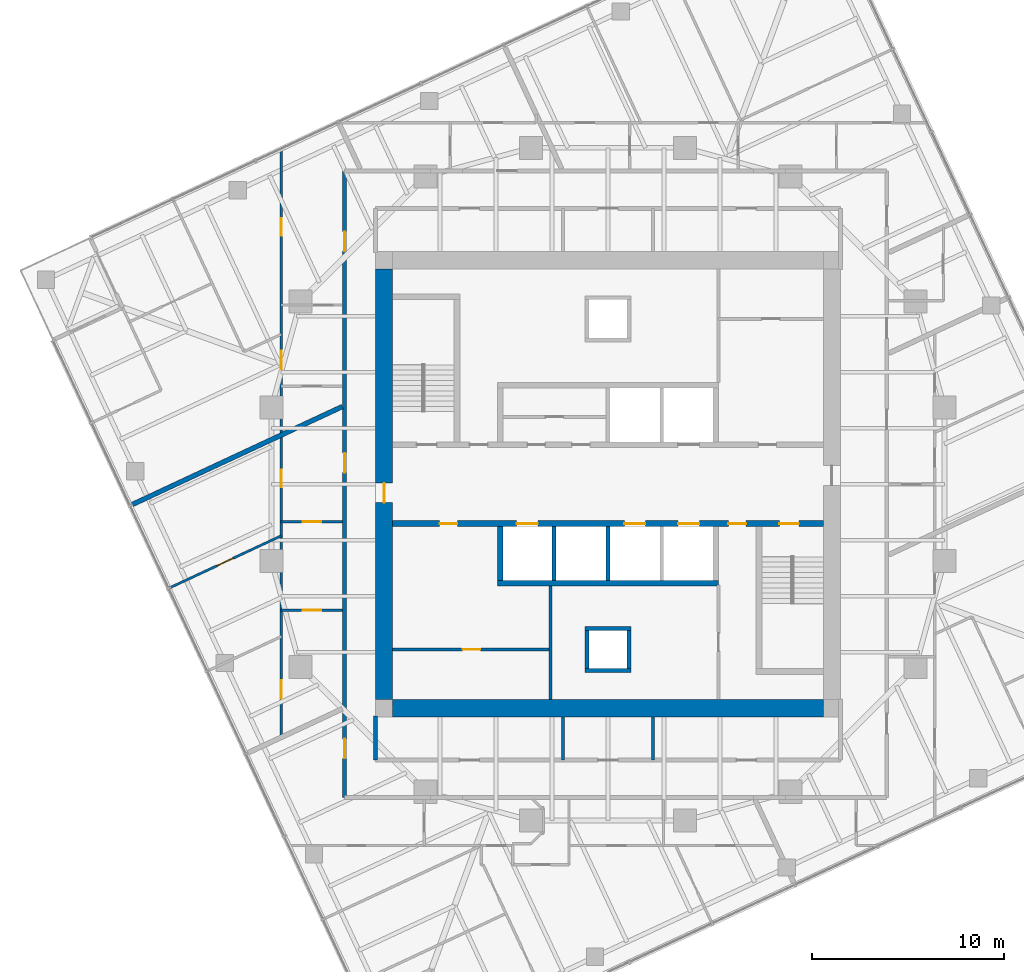
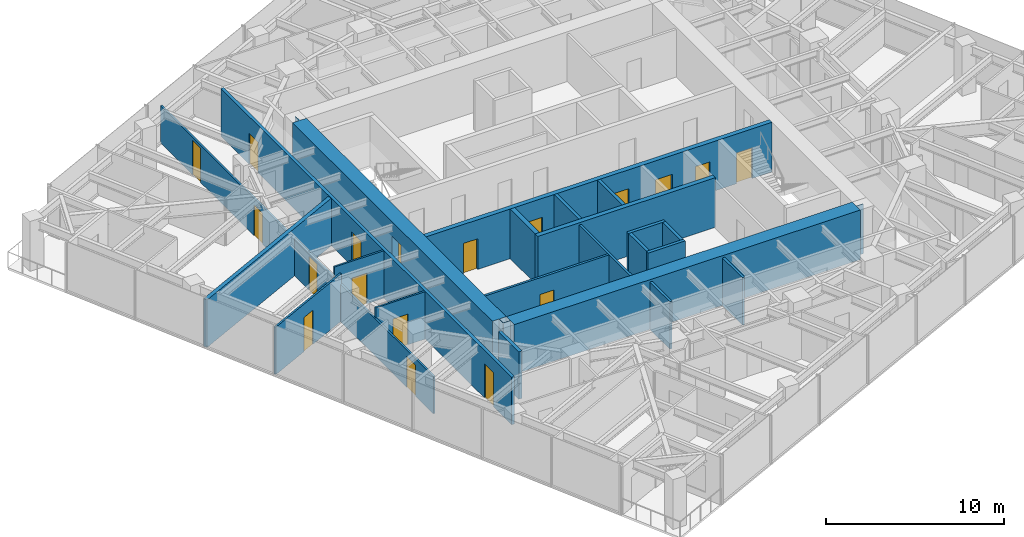
# One storey, part 8 of 13: 22 walls, 18 doors, 18 openings.
"""IFC4 building model written with IfcOpenShell, lengths in metres."""

from ifc_helpers import new_model, si_unit, direction, frame, frame_2d, origin, place, context, subcontext, project, spatial, polyline, rectangle, outline, extrude, material, layer, layer_set, type_object, element, fill, save


model = new_model("IFC4")

# Units and contexts
model_context = context("Model", 3, precision=1e-05, world=origin(), true_north=direction((0.0, 1.0)))
body_context = subcontext(model_context, "Body", "Model", "MODEL_VIEW")
ifc_project = project(units=[si_unit("LENGTHUNIT", "METRE"), si_unit("AREAUNIT", "SQUARE_METRE"), si_unit("VOLUMEUNIT", "CUBIC_METRE"), si_unit("PLANEANGLEUNIT", "RADIAN"), si_unit("MASSUNIT", "GRAM", prefix="KILO")], contexts=[model_context])

# Site, building, storey
site_placement = place(None, origin())
site = spatial("IfcSite", under=ifc_project, at=site_placement, CompositionType="ELEMENT")
building_placement = place(site_placement, origin())
building = spatial("IfcBuilding", under=site, at=building_placement, Name="Torsade Residences", CompositionType="ELEMENT")
storey_placement = place(building_placement, frame((0.0, 0.0, 182.800048828125)))
storey = spatial("IfcBuildingStorey", under=building, at=storey_placement, Name="L50", CompositionType="ELEMENT", Elevation=182.800048828125)

# Wall, openings, doors
ifc_material_1 = material(Name="Concrete 80 MPa", Category="concrete")
ifc_layer_1 = layer(ifc_material_1, 0.300048828125)
ifc_layer_set_1 = layer_set([ifc_layer_1], Name="Concrete 80 MPa")
wall_type_1 = type_object("IfcWallType", Name="CORE INTERNAL WALL 300", PredefinedType="SHEAR", material=ifc_layer_set_1)
wall_1_placement = place(storey_placement, frame((51.199951171875, 27.949951171875, 0.0), z_axis=(0.0, 0.0, 1.0), x_axis=(-1.0, 0.0, 0.0)))
wall_1 = element("IfcWall", 1, at=wall_1_placement, inside=storey, type_object=wall_type_1, Name="Core wall LS L50", PredefinedType="SHEAR", context=body_context, shape_type="SweptSolid", body=[
    extrude(rectangle(XDim=22.39990234375, YDim=0.300048828125, at=frame_2d((11.199951171875, 0.0))), origin(), (0.0, 0.0, 1.0), 3.39990234375),
])
opening_1_placement = place(wall_1_placement, frame((19.0400390625, 0.0, 0.0)))
opening_1 = element("IfcOpeningElement", 2, at=opening_1_placement, cuts=wall_1, Name="Opening D06", PredefinedType="OPENING", context=body_context, shape_type="SweptSolid", body=[
    extrude(rectangle(XDim=0.919921875, YDim=2.10009765625, at=frame_2d((0.4599609375, 1.050048828125))), frame((0.0, 0.159912109375, 0.0), z_axis=(0.0, -1.0, 0.0), x_axis=(1.0, 0.0, 0.0)), (0.0, 0.0, 1.0), 0.320068359375),
])
opening_2_placement = place(wall_1_placement, frame((1.264892578125, 0.0, 0.0)))
opening_2 = element("IfcOpeningElement", 3, at=opening_2_placement, cuts=wall_1, Name="Opening D03", PredefinedType="OPENING", context=body_context, shape_type="SweptSolid", body=[
    extrude(rectangle(XDim=1.02001953125, YDim=2.10009765625, at=frame_2d((0.510009765625, 1.050048828125))), frame((0.0, 0.159912109375, 0.0), z_axis=(0.0, -1.0, 0.0), x_axis=(1.0, 0.0, 0.0)), (0.0, 0.0, 1.0), 0.320068359375),
])
opening_3_placement = place(wall_1_placement, frame((4.014892578125, 0.0, 0.0)))
opening_3 = element("IfcOpeningElement", 4, at=opening_3_placement, cuts=wall_1, Name="Opening D06", PredefinedType="OPENING", context=body_context, shape_type="SweptSolid", body=[
    extrude(rectangle(XDim=0.919921875, YDim=2.10009765625, at=frame_2d((0.4599609375, 1.050048828125))), frame((0.0, 0.159912109375, 0.0), z_axis=(0.0, -1.0, 0.0), x_axis=(1.0, 0.0, 0.0)), (0.0, 0.0, 1.0), 0.320068359375),
])
opening_4_placement = place(wall_1_placement, frame((6.449951171875, 0.0, 0.0)))
opening_4 = element("IfcOpeningElement", 5, at=opening_4_placement, cuts=wall_1, Name="Opening LD", PredefinedType="OPENING", context=body_context, shape_type="SweptSolid", body=[
    extrude(rectangle(XDim=1.10009765625, YDim=2.10009765625, at=frame_2d((0.550048828125, 1.050048828125))), frame((0.0, 0.159912109375, 0.0), z_axis=(0.0, -1.0, 0.0), x_axis=(1.0, 0.0, 0.0)), (0.0, 0.0, 1.0), 0.320068359375),
])
opening_5_placement = place(wall_1_placement, frame((9.25, 0.0, 0.0)))
opening_5 = element("IfcOpeningElement", 6, at=opening_5_placement, cuts=wall_1, Name="Opening LD", PredefinedType="OPENING", context=body_context, shape_type="SweptSolid", body=[
    extrude(rectangle(XDim=1.10009765625, YDim=2.10009765625, at=frame_2d((0.550048828125, 1.050048828125))), frame((0.0, 0.159912109375, 0.0), z_axis=(0.0, -1.0, 0.0), x_axis=(1.0, 0.0, 0.0)), (0.0, 0.0, 1.0), 0.320068359375),
])
opening_6_placement = place(wall_1_placement, frame((14.85009765625, 0.0, 0.0)))
opening_6 = element("IfcOpeningElement", 7, at=opening_6_placement, cuts=wall_1, Name="Opening LD", PredefinedType="OPENING", context=body_context, shape_type="SweptSolid", body=[
    extrude(rectangle(XDim=1.10009765625, YDim=2.10009765625, at=frame_2d((0.550048828125, 1.050048828125))), frame((0.0, 0.159912109375, 0.0), z_axis=(0.0, -1.0, 0.0), x_axis=(1.0, 0.0, 0.0)), (0.0, 0.0, 1.0), 0.320068359375),
])
ifc_material_2 = material(Name="Steel-framed fire door", Category="steel")
door_type_1 = type_object("IfcDoorType", Name="FIRE DOOR 1020", OperationType="NOTDEFINED", PredefinedType="DOOR", material=ifc_material_2)
door_1_placement = place(opening_2_placement, origin())
door_1 = element("IfcDoor", 8, at=door_1_placement, inside=storey, type_object=door_type_1, Name="Exit door to fire-isolated stair ST2 L50", OperationType="SINGLE_SWING_RIGHT", OverallHeight=2.10009765625, OverallWidth=1.02001953125, PredefinedType="DOOR", context=body_context, shape_type="SweptSolid", body=[
    extrude(rectangle(XDim=1.02001953125, YDim=2.10009765625, at=frame_2d((0.510009765625, 1.050048828125))), frame((0.0, 0.02490234375, 0.0), z_axis=(0.0, -1.0, 0.0), x_axis=(1.0, 0.0, 0.0)), (0.0, 0.0, 1.0), 0.050048828125),
])
fill(opening_2, door_1)
ifc_material_3 = material(Name="Steel-framed fire door", Category="steel")
door_type_2 = type_object("IfcDoorType", Name="FIRE DOOR 920", OperationType="NOTDEFINED", PredefinedType="DOOR", material=ifc_material_3)
door_2_placement = place(opening_1_placement, origin())
door_2 = element("IfcDoor", 9, at=door_2_placement, inside=storey, type_object=door_type_2, Name="Door Lift lobby to Cleaner store", OperationType="SINGLE_SWING_LEFT", OverallHeight=2.10009765625, OverallWidth=0.919921875, PredefinedType="DOOR", context=body_context, shape_type="SweptSolid", body=[
    extrude(rectangle(XDim=0.919921875, YDim=2.10009765625, at=frame_2d((0.4599609375, 1.050048828125))), frame((0.0, 0.02490234375, 0.0), z_axis=(0.0, -1.0, 0.0), x_axis=(1.0, 0.0, 0.0)), (0.0, 0.0, 1.0), 0.050048828125),
])
fill(opening_1, door_2)
door_3_placement = place(opening_3_placement, origin())
door_3 = element("IfcDoor", 10, at=door_3_placement, inside=storey, type_object=door_type_2, Name="Door Lift lobby to Communications equipment store", OperationType="SINGLE_SWING_RIGHT", OverallHeight=2.10009765625, OverallWidth=0.919921875, PredefinedType="DOOR", context=body_context, shape_type="SweptSolid", body=[
    extrude(rectangle(XDim=0.919921875, YDim=2.10009765625, at=frame_2d((0.4599609375, 1.050048828125))), frame((0.0, 0.02490234375, 0.0), z_axis=(0.0, -1.0, 0.0), x_axis=(1.0, 0.0, 0.0)), (0.0, 0.0, 1.0), 0.050048828125),
])
fill(opening_3, door_3)
ifc_material_4 = material(Name="Stainless steel lift landing door", Category="steel")
door_type_3 = type_object("IfcDoorType", Name="LIFT LANDING DOOR 1100", OperationType="SLIDING_TO_LEFT", PredefinedType="DOOR", material=ifc_material_4)
door_4_placement = place(opening_4_placement, origin())
door_4 = element("IfcDoor", 11, at=door_4_placement, inside=storey, type_object=door_type_3, Name="Lift LB1 landing door L50", OperationType="SLIDING_TO_LEFT", OverallHeight=2.10009765625, OverallWidth=1.10009765625, PredefinedType="DOOR", context=body_context, shape_type="SweptSolid", body=[
    extrude(rectangle(XDim=1.10009765625, YDim=2.10009765625, at=frame_2d((0.550048828125, 1.050048828125))), frame((0.0, 0.02490234375, 0.0), z_axis=(0.0, -1.0, 0.0), x_axis=(1.0, 0.0, 0.0)), (0.0, 0.0, 1.0), 0.050048828125),
])
fill(opening_4, door_4)
door_5_placement = place(opening_5_placement, origin())
door_5 = element("IfcDoor", 12, at=door_5_placement, inside=storey, type_object=door_type_3, Name="Lift LB2 landing door L50", OperationType="SLIDING_TO_LEFT", OverallHeight=2.10009765625, OverallWidth=1.10009765625, PredefinedType="DOOR", context=body_context, shape_type="SweptSolid", body=[
    extrude(rectangle(XDim=1.10009765625, YDim=2.10009765625, at=frame_2d((0.550048828125, 1.050048828125))), frame((0.0, 0.02490234375, 0.0), z_axis=(0.0, -1.0, 0.0), x_axis=(1.0, 0.0, 0.0)), (0.0, 0.0, 1.0), 0.050048828125),
])
fill(opening_5, door_5)
door_6_placement = place(opening_6_placement, origin())
door_6 = element("IfcDoor", 13, at=door_6_placement, inside=storey, type_object=door_type_3, Name="Lift FL2 landing door L50", OperationType="SLIDING_TO_LEFT", OverallHeight=2.10009765625, OverallWidth=1.10009765625, PredefinedType="DOOR", context=body_context, shape_type="SweptSolid", body=[
    extrude(rectangle(XDim=1.10009765625, YDim=2.10009765625, at=frame_2d((0.550048828125, 1.050048828125))), frame((0.0, 0.02490234375, 0.0), z_axis=(0.0, -1.0, 0.0), x_axis=(1.0, 0.0, 0.0)), (0.0, 0.0, 1.0), 0.050048828125),
])
fill(opening_6, door_6)

# Walls
wall_2_placement = place(storey_placement, frame((45.75, 24.85009765625, 0.0), z_axis=(0.0, 0.0, 1.0), x_axis=(-1.0, 0.0, 0.0)))
element("IfcWall", 14, at=wall_2_placement, inside=storey, type_object=wall_type_1, Name="Core wall BS L50", PredefinedType="SHEAR", context=body_context, shape_type="SweptSolid", body=[
    extrude(rectangle(XDim=11.5, YDim=0.300048828125, at=frame_2d((5.75, 0.0))), origin(), (0.0, 0.0, 1.0), 3.39990234375),
])
wall_3_placement = place(storey_placement, frame((34.39990234375, 27.800048828125, 0.0), z_axis=(0.0, 0.0, 1.0), x_axis=(0.0, -1.0, 0.0)))
element("IfcWall", 15, at=wall_3_placement, inside=storey, type_object=wall_type_1, Name="Core wall DS4 L50", PredefinedType="SHEAR", context=body_context, shape_type="SweptSolid", body=[
    extrude(rectangle(XDim=2.800048828125, YDim=0.300048828125, at=frame_2d((1.39990234375, 0.0))), origin(), (0.0, 0.0, 1.0), 3.39990234375),
])
ifc_material_5 = material(Name="Concrete 80 MPa", Category="concrete")
ifc_layer_2 = layer(ifc_material_5, 0.89990234375)
ifc_layer_set_2 = layer_set([ifc_layer_2], Name="Concrete 80 MPa")
wall_type_2 = type_object("IfcWallType", Name="CORE WALL 900", PredefinedType="SHEAR", material=ifc_layer_set_2)
wall_4_placement = place(storey_placement, frame((51.199951171875, 18.35009765625, 0.0), z_axis=(0.0, 0.0, 1.0), x_axis=(-1.0, 0.0, 0.0)))
element("IfcWall", 16, at=wall_4_placement, inside=storey, type_object=wall_type_2, Name="Core wall S L50", PredefinedType="SHEAR", context=body_context, shape_type="SweptSolid", body=[
    extrude(outline(polyline([(0.0, -0.449951171875), (22.39990234375, -0.449951171875), (22.39990234375, -0.02490234375), (22.849853515625, -0.02490234375), (22.849853515625, 0.02490234375), (22.39990234375, 0.02490234375), (22.39990234375, 0.449951171875), (0.0, 0.449951171875), (0.0, 0.02490234375), (-0.449951171875, 0.02490234375), (-0.449951171875, -0.02490234375), (0.0, -0.02490234375), (0.0, -0.449951171875)])), origin(), (0.0, 0.0, 1.0), 3.39990234375),
])

# Wall, opening, door
wall_5_placement = place(storey_placement, frame((28.35009765625, 41.199951171875, 0.0), z_axis=(0.0, 0.0, 1.0), x_axis=(0.0, -1.0, 0.0)))
wall_5 = element("IfcWall", 17, at=wall_5_placement, inside=storey, type_object=wall_type_2, Name="Core wall W L50", PredefinedType="SHEAR", context=body_context, shape_type="SweptSolid", body=[
    extrude(outline(polyline([(0.0, -0.449951171875), (22.39990234375, -0.449951171875), (22.39990234375, -0.02490234375), (22.849853515625, -0.02490234375), (22.849853515625, 0.02490234375), (22.39990234375, 0.02490234375), (22.39990234375, 0.449951171875), (0.0, 0.449951171875), (0.0, 0.02490234375), (-0.449951171875, 0.02490234375), (-0.449951171875, -0.02490234375), (0.0, -0.02490234375), (0.0, -0.449951171875)])), origin(), (0.0, 0.0, 1.0), 3.39990234375),
])
opening_7_placement = place(wall_5_placement, frame((11.139892578125, 0.0, 0.0)))
opening_7 = element("IfcOpeningElement", 18, at=opening_7_placement, cuts=wall_5, Name="Opening D04", PredefinedType="OPENING", context=body_context, shape_type="SweptSolid", body=[
    extrude(rectangle(XDim=1.02001953125, YDim=2.39990234375, at=frame_2d((0.510009765625, 1.199951171875))), frame((0.0, 0.4599609375, 0.0), z_axis=(0.0, -1.0, 0.0), x_axis=(1.0, 0.0, 0.0)), (0.0, 0.0, 1.0), 0.919921875),
])
ifc_material_6 = material(Name="Steel-framed fire door", Category="steel")
door_type_4 = type_object("IfcDoorType", Name="LOBBY SMOKE DOOR 1020x2400", OperationType="NOTDEFINED", PredefinedType="DOOR", material=ifc_material_6)
door_7_placement = place(opening_7_placement, origin())
door_7 = element("IfcDoor", 19, at=door_7_placement, inside=storey, type_object=door_type_4, Name="Lift lobby door W L50", OperationType="SINGLE_SWING_RIGHT", OverallHeight=2.39990234375, OverallWidth=1.02001953125, PredefinedType="DOOR", context=body_context, shape_type="SweptSolid", body=[
    extrude(rectangle(XDim=1.02001953125, YDim=2.39990234375, at=frame_2d((0.510009765625, 1.199951171875))), frame((0.0, 0.02490234375, 0.0), z_axis=(0.0, -1.0, 0.0), x_axis=(1.0, 0.0, 0.0)), (0.0, 0.0, 1.0), 0.050048828125),
])
fill(opening_7, door_7)

# Wall, openings, doors
ifc_material_7 = material(Name="Plasterboard on steel stud", Category="steel")
ifc_layer_3 = layer(ifc_material_7, 0.199951171875)
ifc_layer_set_3 = layer_set([ifc_layer_3], Name="Plasterboard on steel stud")
wall_type_3 = type_object("IfcWallType", Name="CORRIDOR WALL 200", PredefinedType="PARTITIONING", material=ifc_layer_set_3)
wall_6_placement = place(storey_placement, frame((26.300048828125, 46.300048828125, 0.0), z_axis=(0.0, 0.0, 1.0), x_axis=(0.0, -1.0, 0.0)))
wall_6 = element("IfcWall", 20, at=wall_6_placement, inside=storey, type_object=wall_type_3, Name="Corridor wall L50", PredefinedType="PARTITIONING", context=body_context, shape_type="SweptSolid", body=[
    extrude(rectangle(XDim=32.60009765625, YDim=0.199951171875, at=frame_2d((16.300048828125, 0.0))), origin(), (0.0, 0.0, 1.0), 3.25),
])
opening_8_placement = place(wall_6_placement, frame((3.156005859375, 0.0, 0.0)))
opening_8 = element("IfcOpeningElement", 21, at=opening_8_placement, cuts=wall_6, Name="Opening D01L", PredefinedType="OPENING", context=body_context, shape_type="SweptSolid", body=[
    extrude(rectangle(XDim=1.02001953125, YDim=2.10009765625, at=frame_2d((0.510009765625, 1.050048828125))), frame((0.0, 0.10986328125, 0.0), z_axis=(0.0, -1.0, 0.0), x_axis=(1.0, 0.0, 0.0)), (0.0, 0.0, 1.0), 0.219970703125),
])
opening_9_placement = place(wall_6_placement, frame((14.68017578125, 0.0, 0.0)))
opening_9 = element("IfcOpeningElement", 22, at=opening_9_placement, cuts=wall_6, Name="Opening D01", PredefinedType="OPENING", context=body_context, shape_type="SweptSolid", body=[
    extrude(rectangle(XDim=1.02001953125, YDim=2.340087890625, at=frame_2d((0.510009765625, 1.169921875))), frame((0.0, 0.10986328125, 0.0), z_axis=(0.0, -1.0, 0.0), x_axis=(1.0, 0.0, 0.0)), (0.0, 0.0, 1.0), 0.219970703125),
])
opening_10_placement = place(wall_6_placement, frame((29.54345703125, 0.0, 0.0)))
opening_10 = element("IfcOpeningElement", 23, at=opening_10_placement, cuts=wall_6, Name="Opening D01", PredefinedType="OPENING", context=body_context, shape_type="SweptSolid", body=[
    extrude(rectangle(XDim=1.02001953125, YDim=2.340087890625, at=frame_2d((0.510009765625, 1.169921875))), frame((0.0, 0.10986328125, 0.0), z_axis=(0.0, -1.0, 0.0), x_axis=(1.0, 0.0, 0.0)), (0.0, 0.0, 1.0), 0.219970703125),
])
ifc_material_8 = material(Name="Solid-core timber fire door", Category="wood")
door_type_5 = type_object("IfcDoorType", Name="APARTMENT ENTRY DOOR 1020x2100", OperationType="NOTDEFINED", PredefinedType="DOOR", material=ifc_material_8)
door_8_placement = place(opening_8_placement, origin())
door_8 = element("IfcDoor", 24, at=door_8_placement, inside=storey, type_object=door_type_5, Name="Door Residential corridor to Kitchen and dining", OperationType="SINGLE_SWING_LEFT", OverallHeight=2.10009765625, OverallWidth=1.02001953125, PredefinedType="DOOR", context=body_context, shape_type="SweptSolid", body=[
    extrude(rectangle(XDim=1.02001953125, YDim=2.10009765625, at=frame_2d((0.510009765625, 1.050048828125))), frame((0.0, 0.02490234375, 0.0), z_axis=(0.0, -1.0, 0.0), x_axis=(1.0, 0.0, 0.0)), (0.0, 0.0, 1.0), 0.050048828125),
])
fill(opening_8, door_8)
ifc_material_9 = material(Name="Solid-core timber fire door", Category="wood")
door_type_6 = type_object("IfcDoorType", Name="APARTMENT ENTRY DOOR 1020x2340", OperationType="NOTDEFINED", PredefinedType="DOOR", material=ifc_material_9)
door_9_placement = place(opening_9_placement, origin())
door_9 = element("IfcDoor", 25, at=door_9_placement, inside=storey, type_object=door_type_6, Name="Door Residential corridor to Kitchen and dining", OperationType="SINGLE_SWING_RIGHT", OverallHeight=2.340087890625, OverallWidth=1.02001953125, PredefinedType="DOOR", context=body_context, shape_type="SweptSolid", body=[
    extrude(rectangle(XDim=1.02001953125, YDim=2.340087890625, at=frame_2d((0.510009765625, 1.169921875))), frame((0.0, 0.02490234375, 0.0), z_axis=(0.0, -1.0, 0.0), x_axis=(1.0, 0.0, 0.0)), (0.0, 0.0, 1.0), 0.050048828125),
])
fill(opening_9, door_9)
door_10_placement = place(opening_10_placement, origin())
door_10 = element("IfcDoor", 26, at=door_10_placement, inside=storey, type_object=door_type_6, Name="Door Residential corridor to Kitchen and dining", OperationType="SINGLE_SWING_RIGHT", OverallHeight=2.340087890625, OverallWidth=1.02001953125, PredefinedType="DOOR", context=body_context, shape_type="SweptSolid", body=[
    extrude(rectangle(XDim=1.02001953125, YDim=2.340087890625, at=frame_2d((0.510009765625, 1.169921875))), frame((0.0, 0.02490234375, 0.0), z_axis=(0.0, -1.0, 0.0), x_axis=(1.0, 0.0, 0.0)), (0.0, 0.0, 1.0), 0.050048828125),
])
fill(opening_10, door_10)

# Walls
wall_7_placement = place(storey_placement, frame((27.89990234375, 17.949951171875, 0.0), z_axis=(0.0, 0.0, 1.0), x_axis=(0.0, -1.0, 0.0)))
element("IfcWall", 27, at=wall_7_placement, inside=storey, type_object=wall_type_3, Name="Corridor wall L50", PredefinedType="PARTITIONING", context=body_context, shape_type="SweptSolid", body=[
    extrude(rectangle(XDim=2.300048828125, YDim=0.199951171875, at=frame_2d((1.14990234375, 0.0))), origin(), (0.0, 0.0, 1.0), 3.25),
])
ifc_material_10 = material(Name="Reinforced blockwork", Category="masonry")
ifc_layer_4 = layer(ifc_material_10, 0.199951171875)
ifc_layer_set_4 = layer_set([ifc_layer_4], Name="Reinforced blockwork")
wall_type_4 = type_object("IfcWallType", Name="LIFT SHAFT DIVIDING WALL 200", PredefinedType="SOLIDWALL", material=ifc_layer_set_4)
for number, where, z_axis, x_axis, name in (
    (28, (40.0, 27.800048828125, 0.0), (0.0, 0.0, 1.0), (0.0, -1.0, 0.0), "Core wall DS2 L50"),
    (29, (37.199951171875, 27.800048828125, 0.0), (0.0, 0.0, 1.0), (0.0, -1.0, 0.0), "Core wall DS3 L50"),
):
    element("IfcWall", number, at=place(storey_placement, frame(where, z_axis=z_axis, x_axis=x_axis)), inside=storey, type_object=wall_type_4, Name=name, PredefinedType="SOLIDWALL", context=body_context, shape_type="SweptSolid", body=[
        extrude(rectangle(XDim=2.800048828125, YDim=0.199951171875, at=frame_2d((1.39990234375, 0.0))), origin(), (0.0, 0.0, 1.0), 3.39990234375),
    ])

# Wall, opening, door
ifc_material_11 = material(Name="Plasterboard on steel stud", Category="steel")
ifc_layer_5 = layer(ifc_material_11, 0.1201171875)
ifc_layer_set_5 = layer_set([ifc_layer_5], Name="Plasterboard on steel stud")
wall_type_5 = type_object("IfcWallType", Name="PARTITION 120", PredefinedType="PARTITIONING", material=ifc_layer_set_5)
wall_8_placement = place(storey_placement, frame((26.199951171875, 28.0537109375, 0.0), z_axis=(0.0, 0.0, 1.0), x_axis=(-1.0, 0.0, 0.0)))
wall_8 = element("IfcWall", 30, at=wall_8_placement, inside=storey, type_object=wall_type_5, Name="Partition L50", PredefinedType="PARTITIONING", context=body_context, shape_type="SweptSolid", body=[
    extrude(rectangle(XDim=3.199951171875, YDim=0.1201171875, at=frame_2d((1.60009765625, 0.0))), origin(), (0.0, 0.0, 1.0), 3.25),
])
opening_11_placement = place(wall_8_placement, frame((1.1201171875, 0.0, 0.0)))
opening_11 = element("IfcOpeningElement", 31, at=opening_11_placement, cuts=wall_8, Name="Opening D05", PredefinedType="OPENING", context=body_context, shape_type="SweptSolid", body=[
    extrude(rectangle(XDim=0.9599609375, YDim=2.10009765625, at=frame_2d((0.47998046875, 1.050048828125))), frame((0.0, 0.070068359375, 0.0), z_axis=(0.0, -1.0, 0.0), x_axis=(1.0, 0.0, 0.0)), (0.0, 0.0, 1.0), 0.14013671875),
])
ifc_material_12 = material(Name="Hollow-core timber door in a steel cavity frame", Category="steel")
door_type_7 = type_object("IfcDoorType", Name="BATHROOM CAVITY SLIDING DOOR 960", OperationType="SLIDING_TO_LEFT", PredefinedType="DOOR", material=ifc_material_12)
door_11_placement = place(opening_11_placement, origin())
door_11 = element("IfcDoor", 32, at=door_11_placement, inside=storey, type_object=door_type_7, Name="Door Kitchen and dining to Ensuite", OperationType="SLIDING_TO_LEFT", OverallHeight=2.10009765625, OverallWidth=0.9599609375, PredefinedType="DOOR", context=body_context, shape_type="SweptSolid", body=[
    extrude(rectangle(XDim=0.9599609375, YDim=2.10009765625, at=frame_2d((0.47998046875, 1.050048828125))), frame((0.0, 0.02490234375, 0.0), z_axis=(0.0, -1.0, 0.0), x_axis=(1.0, 0.0, 0.0)), (0.0, 0.0, 1.0), 0.050048828125),
])
fill(opening_11, door_11)

# Wall, openings, doors
wall_9_placement = place(storey_placement, frame((23.0, 16.831787109375, 0.0), z_axis=(0.0, 0.0, 1.0), x_axis=(0.0, 1.0, 0.0)))
wall_9 = element("IfcWall", 33, at=wall_9_placement, inside=storey, type_object=wall_type_5, Name="Partition L50", PredefinedType="PARTITIONING", context=body_context, shape_type="SweptSolid", body=[
    extrude(rectangle(XDim=30.574462890625, YDim=0.1201171875, at=frame_2d((15.287109375, 0.0))), origin(), (0.0, 0.0, 1.0), 2.550048828125),
])
opening_12_placement = place(wall_9_placement, frame((26.092529296875, 0.0, 0.0)))
opening_12 = element("IfcOpeningElement", 34, at=opening_12_placement, cuts=wall_9, Name="Opening D02", PredefinedType="OPENING", context=body_context, shape_type="SweptSolid", body=[
    extrude(rectangle(XDim=0.919921875, YDim=2.340087890625, at=frame_2d((0.4599609375, 1.169921875))), frame((0.0, 0.070068359375, 0.0), z_axis=(0.0, -1.0, 0.0), x_axis=(1.0, 0.0, 0.0)), (0.0, 0.0, 1.0), 0.14013671875),
])
opening_13_placement = place(wall_9_placement, frame((13.012451171875, 0.0, 0.0)))
opening_13 = element("IfcOpeningElement", 35, at=opening_13_placement, cuts=wall_9, Name="Opening D02", PredefinedType="OPENING", context=body_context, shape_type="SweptSolid", body=[
    extrude(rectangle(XDim=0.919921875, YDim=2.340087890625, at=frame_2d((0.4599609375, 1.169921875))), frame((0.0, 0.070068359375, 0.0), z_axis=(0.0, -1.0, 0.0), x_axis=(1.0, 0.0, 0.0)), (0.0, 0.0, 1.0), 0.14013671875),
])
opening_14_placement = place(wall_9_placement, frame((19.159912109375, 0.0, 0.0)))
opening_14 = element("IfcOpeningElement", 36, at=opening_14_placement, cuts=wall_9, Name="Opening D05", PredefinedType="OPENING", context=body_context, shape_type="SweptSolid", body=[
    extrude(rectangle(XDim=0.9599609375, YDim=2.10009765625, at=frame_2d((0.47998046875, 1.050048828125))), frame((0.0, 0.070068359375, 0.0), z_axis=(0.0, -1.0, 0.0), x_axis=(1.0, 0.0, 0.0)), (0.0, 0.0, 1.0), 0.14013671875),
])
opening_15_placement = place(wall_9_placement, frame((2.01806640625, 0.0, 0.0)))
opening_15 = element("IfcOpeningElement", 37, at=opening_15_placement, cuts=wall_9, Name="Opening D05", PredefinedType="OPENING", context=body_context, shape_type="SweptSolid", body=[
    extrude(rectangle(XDim=0.9599609375, YDim=2.10009765625, at=frame_2d((0.47998046875, 1.050048828125))), frame((0.0, 0.070068359375, 0.0), z_axis=(0.0, -1.0, 0.0), x_axis=(1.0, 0.0, 0.0)), (0.0, 0.0, 1.0), 0.14013671875),
])
door_12_placement = place(opening_14_placement, origin())
door_12 = element("IfcDoor", 38, at=door_12_placement, inside=storey, type_object=door_type_7, Name="Door Bathroom to Living room", OperationType="SLIDING_TO_LEFT", OverallHeight=2.10009765625, OverallWidth=0.9599609375, PredefinedType="DOOR", context=body_context, shape_type="SweptSolid", body=[
    extrude(rectangle(XDim=0.9599609375, YDim=2.10009765625, at=frame_2d((0.47998046875, 1.050048828125))), frame((0.0, 0.02490234375, 0.0), z_axis=(0.0, -1.0, 0.0), x_axis=(1.0, 0.0, 0.0)), (0.0, 0.0, 1.0), 0.050048828125),
])
fill(opening_14, door_12)
door_13_placement = place(opening_15_placement, origin())
door_13 = element("IfcDoor", 39, at=door_13_placement, inside=storey, type_object=door_type_7, Name="Door Bathroom to Bedroom 2", OperationType="SLIDING_TO_LEFT", OverallHeight=2.10009765625, OverallWidth=0.9599609375, PredefinedType="DOOR", context=body_context, shape_type="SweptSolid", body=[
    extrude(rectangle(XDim=0.9599609375, YDim=2.10009765625, at=frame_2d((0.47998046875, 1.050048828125))), frame((0.0, 0.02490234375, 0.0), z_axis=(0.0, -1.0, 0.0), x_axis=(1.0, 0.0, 0.0)), (0.0, 0.0, 1.0), 0.050048828125),
])
fill(opening_15, door_13)
ifc_material_13 = material(Name="Hollow-core timber door", Category="wood")
door_type_8 = type_object("IfcDoorType", Name="INTERNAL DOOR 920x2340", OperationType="NOTDEFINED", PredefinedType="DOOR", material=ifc_material_13)
door_14_placement = place(opening_12_placement, origin())
door_14 = element("IfcDoor", 40, at=door_14_placement, inside=storey, type_object=door_type_8, Name="Door Kitchen and dining to Bedroom 1", OperationType="SINGLE_SWING_LEFT", OverallHeight=2.340087890625, OverallWidth=0.919921875, PredefinedType="DOOR", context=body_context, shape_type="SweptSolid", body=[
    extrude(rectangle(XDim=0.919921875, YDim=2.340087890625, at=frame_2d((0.4599609375, 1.169921875))), frame((0.0, 0.02490234375, 0.0), z_axis=(0.0, -1.0, 0.0), x_axis=(1.0, 0.0, 0.0)), (0.0, 0.0, 1.0), 0.050048828125),
])
fill(opening_12, door_14)
door_15_placement = place(opening_13_placement, origin())
door_15 = element("IfcDoor", 41, at=door_15_placement, inside=storey, type_object=door_type_8, Name="Door Kitchen and dining to Living room", OperationType="SINGLE_SWING_RIGHT", OverallHeight=2.340087890625, OverallWidth=0.919921875, PredefinedType="DOOR", context=body_context, shape_type="SweptSolid", body=[
    extrude(rectangle(XDim=0.919921875, YDim=2.340087890625, at=frame_2d((0.4599609375, 1.169921875))), frame((0.0, 0.02490234375, 0.0), z_axis=(0.0, -1.0, 0.0), x_axis=(1.0, 0.0, 0.0)), (0.0, 0.0, 1.0), 0.050048828125),
])
fill(opening_13, door_15)

# Wall, opening, door
wall_10_placement = place(storey_placement, frame((23.0, 23.436279296875, 0.0), z_axis=(0.0, 0.0, 1.0), x_axis=(1.0, 0.0, 0.0)))
wall_10 = element("IfcWall", 42, at=wall_10_placement, inside=storey, type_object=wall_type_5, Name="Partition L50", PredefinedType="PARTITIONING", context=body_context, shape_type="SweptSolid", body=[
    extrude(rectangle(XDim=3.199951171875, YDim=0.1201171875, at=frame_2d((1.60009765625, 0.0))), origin(), (0.0, 0.0, 1.0), 3.25),
])
opening_16_placement = place(wall_10_placement, frame((1.1201171875, 0.0, 0.0)))
opening_16 = element("IfcOpeningElement", 43, at=opening_16_placement, cuts=wall_10, Name="Opening D05", PredefinedType="OPENING", context=body_context, shape_type="SweptSolid", body=[
    extrude(rectangle(XDim=0.9599609375, YDim=2.10009765625, at=frame_2d((0.47998046875, 1.050048828125))), frame((0.0, 0.070068359375, 0.0), z_axis=(0.0, -1.0, 0.0), x_axis=(1.0, 0.0, 0.0)), (0.0, 0.0, 1.0), 0.14013671875),
])
door_16_placement = place(opening_16_placement, origin())
door_16 = element("IfcDoor", 44, at=door_16_placement, inside=storey, type_object=door_type_7, Name="Door Ensuite to Bathroom", OperationType="SLIDING_TO_LEFT", OverallHeight=2.10009765625, OverallWidth=0.9599609375, PredefinedType="DOOR", context=body_context, shape_type="SweptSolid", body=[
    extrude(rectangle(XDim=0.9599609375, YDim=2.10009765625, at=frame_2d((0.47998046875, 1.050048828125))), frame((0.0, 0.02490234375, 0.0), z_axis=(0.0, -1.0, 0.0), x_axis=(1.0, 0.0, 0.0)), (0.0, 0.0, 1.0), 0.050048828125),
])
fill(opening_16, door_16)

wall_11_placement = place(storey_placement, frame((23.0, 27.313720703125, 0.0), z_axis=(0.0, 0.0, 1.0), x_axis=(-0.906305562553, -0.422623032129, 0.0)))
wall_11 = element("IfcWall", 45, at=wall_11_placement, inside=storey, type_object=wall_type_5, Name="Partition L50", PredefinedType="PARTITIONING", context=body_context, shape_type="SweptSolid", body=[
    extrude(rectangle(XDim=6.41748046875, YDim=0.1201171875, at=frame_2d((3.208740234375, 0.0))), origin(), (0.0, 0.0, 1.0), 3.25),
])
opening_17_placement = place(wall_11_placement, frame((2.768798828125, 0.0, 0.0)))
opening_17 = element("IfcOpeningElement", 46, at=opening_17_placement, cuts=wall_11, Name="Opening D02", PredefinedType="OPENING", context=body_context, shape_type="SweptSolid", body=[
    extrude(rectangle(XDim=0.919921875, YDim=2.340087890625, at=frame_2d((0.4599609375, 1.169921875))), frame((0.0, 0.070068359375, 0.0), z_axis=(0.0, -1.0, 0.0), x_axis=(1.0, 0.0, 0.0)), (0.0, 0.0, 1.0), 0.14013671875),
])
door_17_placement = place(opening_17_placement, origin())
door_17 = element("IfcDoor", 47, at=door_17_placement, inside=storey, type_object=door_type_8, Name="Door Living room to Bedroom 1", OperationType="SINGLE_SWING_LEFT", OverallHeight=2.340087890625, OverallWidth=0.919921875, PredefinedType="DOOR", context=body_context, shape_type="SweptSolid", body=[
    extrude(rectangle(XDim=0.919921875, YDim=2.340087890625, at=frame_2d((0.4599609375, 1.169921875))), frame((0.0, 0.02490234375, 0.0), z_axis=(0.0, -1.0, 0.0), x_axis=(1.0, 0.0, 0.0)), (0.0, 0.0, 1.0), 0.050048828125),
])
fill(opening_17, door_17)

# Walls
ifc_material_14 = material(Name="Masonry-lined stud party wall", Category="masonry")
ifc_layer_6 = layer(ifc_material_14, 0.25)
ifc_layer_set_6 = layer_set([ifc_layer_6], Name="Masonry-lined stud party wall")
wall_type_6 = type_object("IfcWallType", Name="PARTY WALL 250", PredefinedType="PARTITIONING", material=ifc_layer_set_6)
wall_12_placement = place(storey_placement, frame((15.14013671875, 28.8896484375, 0.0), z_axis=(0.0, 0.0, 1.0), x_axis=(0.906303906082, 0.422626584374, 0.0)))
element("IfcWall", 48, at=wall_12_placement, inside=storey, type_object=wall_type_6, Name="Party wall L50", PredefinedType="PARTITIONING", context=body_context, shape_type="SweptSolid", body=[
    extrude(rectangle(XDim=12.184814453125, YDim=0.25, at=frame_2d((6.09228515625, 0.0))), origin(), (0.0, 0.0, 1.0), 3.25),
])
ifc_material_15 = material(Name="Reinforced blockwork", Category="masonry")
ifc_layer_7 = layer(ifc_material_15, 0.199951171875)
ifc_layer_set_7 = layer_set([ifc_layer_7], Name="Reinforced blockwork")
wall_type_7 = type_object("IfcWallType", Name="RISER SHAFT WALL 200", PredefinedType="SOLIDWALL", material=ifc_layer_set_7)
for number, where, z_axis, x_axis, name in (
    (49, (38.89990234375, 22.39990234375, 0.0), (0.0, 0.0, 1.0), (0.0, -1.0, 0.0), "Core wall RS2a L50"),
    (50, (41.10009765625, 22.39990234375, 0.0), (0.0, 0.0, 1.0), (0.0, -1.0, 0.0), "Core wall RS2b L50"),
):
    element("IfcWall", number, at=place(storey_placement, frame(where, z_axis=z_axis, x_axis=x_axis)), inside=storey, type_object=wall_type_7, Name=name, PredefinedType="SOLIDWALL", context=body_context, shape_type="SweptSolid", body=[
        extrude(rectangle(XDim=2.0, YDim=0.199951171875, at=frame_2d((1.0, 0.0))), origin(), (0.0, 0.0, 1.0), 3.39990234375),
    ])
for number, where, z_axis, x_axis, name in (
    (51, (38.800048828125, 22.5, 0.0), (0.0, 0.0, 1.0), (1.0, 0.0, 0.0), "Core wall RS2c L50"),
    (52, (38.800048828125, 20.300048828125, 0.0), (0.0, 0.0, 1.0), (1.0, 0.0, 0.0), "Core wall RS2d L50"),
):
    element("IfcWall", number, at=place(storey_placement, frame(where, z_axis=z_axis, x_axis=x_axis)), inside=storey, type_object=wall_type_7, Name=name, PredefinedType="SOLIDWALL", context=body_context, shape_type="SweptSolid", body=[
        extrude(rectangle(XDim=2.39990234375, YDim=0.199951171875, at=frame_2d((1.199951171875, 0.0))), origin(), (0.0, 0.0, 1.0), 3.39990234375),
    ])
ifc_material_16 = material(Name="Reinforced blockwork", Category="masonry")
ifc_layer_8 = layer(ifc_material_16, 0.14990234375)
ifc_layer_set_8 = layer_set([ifc_layer_8], Name="Reinforced blockwork")
wall_type_8 = type_object("IfcWallType", Name="SERVICE ROOM WALL 150", PredefinedType="SOLIDWALL", material=ifc_layer_set_8)
wall_13_placement = place(storey_placement, frame((37.0, 18.800048828125, 0.0), z_axis=(0.0, 0.0, 1.0), x_axis=(0.0, 1.0, 0.0)))
element("IfcWall", 53, at=wall_13_placement, inside=storey, type_object=wall_type_8, Name="Service room wall L50", PredefinedType="SOLIDWALL", context=body_context, shape_type="SweptSolid", body=[
    extrude(rectangle(XDim=5.89990234375, YDim=0.14990234375, at=frame_2d((2.949951171875, 0.0))), origin(), (0.0, 0.0, 1.0), 3.25),
])

# Wall, opening, door
wall_14_placement = place(storey_placement, frame((37.0, 21.39990234375, 0.0), z_axis=(0.0, 0.0, 1.0), x_axis=(-1.0, 0.0, 0.0)))
wall_14 = element("IfcWall", 54, at=wall_14_placement, inside=storey, type_object=wall_type_8, Name="Service room wall L50", PredefinedType="SOLIDWALL", context=body_context, shape_type="SweptSolid", body=[
    extrude(rectangle(XDim=8.199951171875, YDim=0.14990234375, at=frame_2d((4.10009765625, 0.0))), origin(), (0.0, 0.0, 1.0), 3.25),
])
opening_18_placement = place(wall_14_placement, frame((3.639892578125, 0.0, 0.0)))
opening_18 = element("IfcOpeningElement", 55, at=opening_18_placement, cuts=wall_14, Name="Opening D06", PredefinedType="OPENING", context=body_context, shape_type="SweptSolid", body=[
    extrude(rectangle(XDim=0.919921875, YDim=2.10009765625, at=frame_2d((0.4599609375, 1.050048828125))), frame((0.0, 0.0849609375, 0.0), z_axis=(0.0, -1.0, 0.0), x_axis=(1.0, 0.0, 0.0)), (0.0, 0.0, 1.0), 0.169921875),
])
door_18_placement = place(opening_18_placement, origin())
door_18 = element("IfcDoor", 56, at=door_18_placement, inside=storey, type_object=door_type_2, Name="Door Cleaner store to Sprinkler valve room", OperationType="SINGLE_SWING_RIGHT", OverallHeight=2.10009765625, OverallWidth=0.919921875, PredefinedType="DOOR", context=body_context, shape_type="SweptSolid", body=[
    extrude(rectangle(XDim=0.919921875, YDim=2.10009765625, at=frame_2d((0.4599609375, 1.050048828125))), frame((0.0, 0.02490234375, 0.0), z_axis=(0.0, -1.0, 0.0), x_axis=(1.0, 0.0, 0.0)), (0.0, 0.0, 1.0), 0.050048828125),
])
fill(opening_18, door_18)

# Walls
for number, where, z_axis, x_axis, name in (
    (57, (37.652587890625, 15.64990234375, 0.0), (0.0, 0.0, 1.0), (0.0, 1.0, 0.0), "Service room wall L50"),
    (58, (42.347412109375, 15.64990234375, 0.0), (0.0, 0.0, 1.0), (0.0, 1.0, 0.0), "Service room wall L50"),
):
    element("IfcWall", number, at=place(storey_placement, frame(where, z_axis=z_axis, x_axis=x_axis)), inside=storey, type_object=wall_type_8, Name=name, PredefinedType="SOLIDWALL", context=body_context, shape_type="SweptSolid", body=[
        extrude(rectangle(XDim=2.25, YDim=0.14990234375, at=frame_2d((1.125, 0.0))), origin(), (0.0, 0.0, 1.0), 3.25),
    ])

save(model, "model.ifc")
